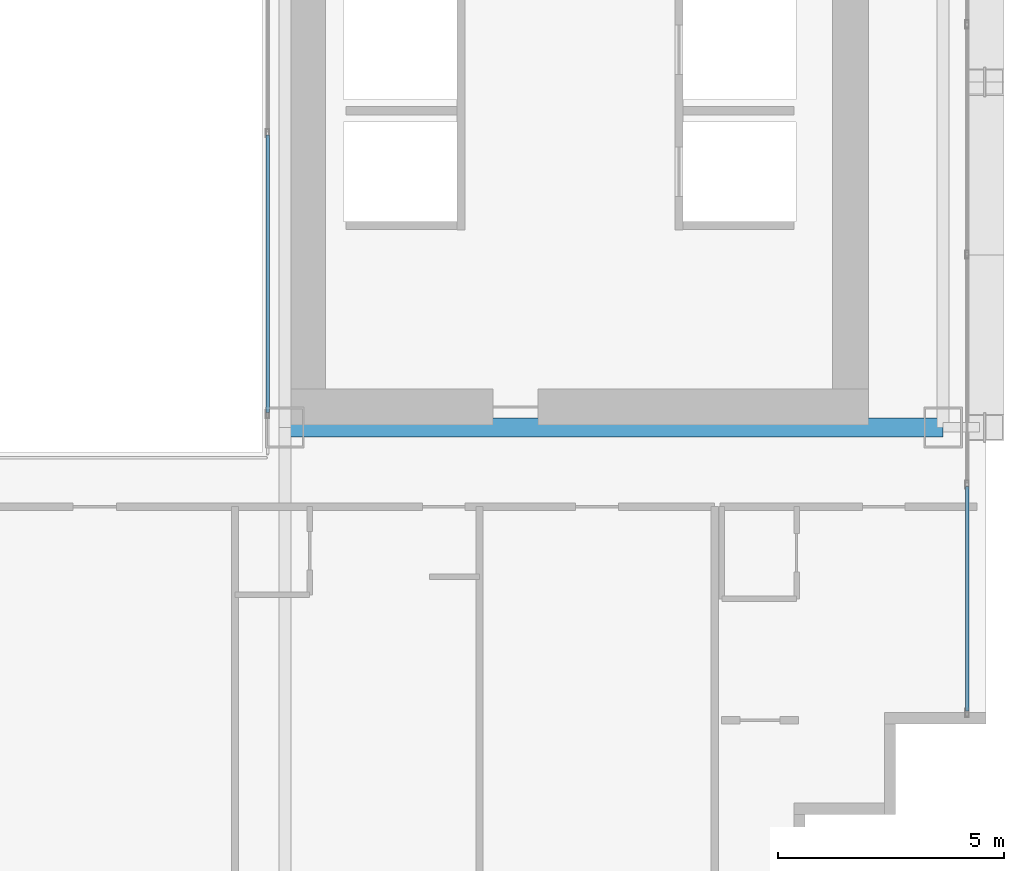
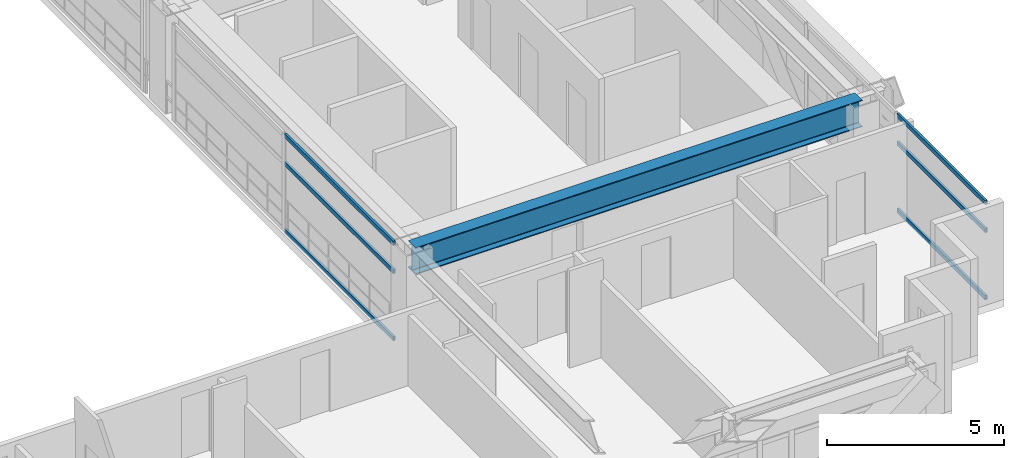
# One storey, part 13 of 41: 6 members, 1 beam, 2 elements without a shape of their own.
"""IFC4 building model written with IfcOpenShell, lengths in metres."""

from ifc_helpers import new_model, si_unit, direction, frame, origin, origin_2d, place, context, subcontext, project, spatial, hollow_rectangle, i_section, extrude, source, transform, mapped, material, layer, layer_set, material_profile, profile_set, type_object, element, aggregate, save


model = new_model("IFC4")

# Units and contexts
model_context = context("Model", 3, precision=1e-05, world=origin(), true_north=direction((0.0, 1.0)))
body_context = subcontext(model_context, "Body", "Model", "MODEL_VIEW")
ifc_project = project(units=[si_unit("LENGTHUNIT", "METRE"), si_unit("AREAUNIT", "SQUARE_METRE"), si_unit("VOLUMEUNIT", "CUBIC_METRE"), si_unit("PLANEANGLEUNIT", "RADIAN"), si_unit("MASSUNIT", "GRAM", prefix="KILO")], contexts=[model_context])

# Site, building, storey
site_placement = place(None, origin())
site = spatial("IfcSite", under=ifc_project, at=site_placement, CompositionType="ELEMENT")
building_placement = place(site_placement, origin())
building = spatial("IfcBuilding", under=site, at=building_placement, Name="Ocotamira Hotel", CompositionType="ELEMENT")
storey_placement = place(building_placement, frame((0.0, 0.0, 52.800048828125)))
storey = spatial("IfcBuildingStorey", under=building, at=storey_placement, Name="L12", CompositionType="ELEMENT", Elevation=52.800048828125)

# Beam
ifc_material_1 = material(Name="Steel ASTM A992 Grade 50", Category="steel")
ifc_material_profile_1 = material_profile(ifc_material_1, i_section(OverallWidth=0.41796875, OverallDepth=0.927001953125, WebThickness=0.019287109375, FlangeThickness=0.031982421875, FilletRadius=0.02392578125, at=origin_2d()), Name="W36X231")
ifc_profile_set_1 = profile_set([ifc_material_profile_1], Name="Steel ASTM A992 Grade 50")
beam_type = type_object("IfcBeamType", Name="BM-GIRD-W36X231", PredefinedType="BEAM", material=ifc_profile_set_1)
shared_shape_1 = source(origin(), body_context, "Body", "SweptSolid", [
    extrude(i_section(OverallWidth=0.41796875, OverallDepth=0.927001953125, WebThickness=0.019287109375, FlangeThickness=0.031982421875, FilletRadius=0.02392578125, at=origin_2d()), origin(), (0.0, 0.0, 1.0), 14.550048828125),
])
beam_placement = place(storey_placement, frame((40.5, 14.550048828125, 2.886474609375), z_axis=(1.0, 0.0, 0.0), x_axis=(0.0, 1.0, 0.0)))
element("IfcBeam", 1, at=beam_placement, inside=storey, type_object=beam_type, Name="L12 Girder Y14.55 X40.5-55.05", PredefinedType="BEAM", context=body_context, shape_type="MappedRepresentation", body=[
    mapped(shared_shape_1, transform((0.0, 0.0, 0.0), scale=1.0)),
])

# Curtain wall, members
ifc_material_2 = material(Name="Anodised pale-metal aluminium and solar glass", Category="aluminium")
ifc_layer_1 = layer(ifc_material_2, 0.179931640625)
ifc_layer_set_1 = layer_set([ifc_layer_1], Name="Anodised pale-metal aluminium and solar glass")
curtain_wall_type_1 = type_object("IfcCurtainWallType", Name="CW-SYS2-Z1", PredefinedType="NOTDEFINED", material=ifc_layer_set_1)
curtain_wall_1_placement = place(storey_placement, origin())
curtain_wall_1 = element("IfcCurtainWall", 2, at=curtain_wall_1_placement, inside=storey, type_object=curtain_wall_type_1, Name="L12 Curtain Wall CW-2 CW-L12-E", PredefinedType="NOTDEFINED")
ifc_material_3 = material(Name="Anodised pale-metal aluminium 6063-T6", Category="aluminium")
ifc_material_profile_2 = material_profile(ifc_material_3, hollow_rectangle(XDim=0.074951171875, YDim=0.14990234375, WallThickness=0.006103515625, at=origin_2d()), Name="HSS150X75X6")
ifc_profile_set_2 = profile_set([ifc_material_profile_2], Name="Anodised pale-metal aluminium 6063-T6")
member_type = type_object("IfcMemberType", Name="CWT-150X75", PredefinedType="USERDEFINED", material=ifc_profile_set_2)
shared_shape_2 = source(origin(), body_context, "Body", "SweptSolid", [
    extrude(hollow_rectangle(XDim=0.074951171875, YDim=0.14990234375, WallThickness=0.006103515625, at=origin_2d()), origin(), (0.0, 0.0, 1.0), 4.965576171875),
])
member_1_placement = place(storey_placement, frame((55.580078125, 8.280029296875, 0.037353515625), z_axis=(0.0, 1.0, 0.0), x_axis=(-1.0, 0.0, 0.0)))
member_1 = element("IfcMember", 3, at=member_1_placement, type_object=member_type, Name="CW-2 transom 1.1", ObjectType="TRANSOM", PredefinedType="USERDEFINED", context=body_context, shape_type="MappedRepresentation", body=[
    mapped(shared_shape_2, transform((0.0, 0.0, 0.0), scale=1.0)),
])
member_2_placement = place(storey_placement, frame((55.580078125, 8.280029296875, 2.349853515625), z_axis=(0.0, 1.0, 0.0), x_axis=(-1.0, 0.0, 0.0)))
member_2 = element("IfcMember", 4, at=member_2_placement, type_object=member_type, Name="CW-2 transom 1.2", ObjectType="TRANSOM", PredefinedType="USERDEFINED", context=body_context, shape_type="MappedRepresentation", body=[
    mapped(shared_shape_2, transform((0.0, 0.0, 0.0), scale=1.0)),
])
member_3_placement = place(storey_placement, frame((55.580078125, 8.280029296875, 3.3125), z_axis=(0.0, 1.0, 0.0), x_axis=(-1.0, 0.0, 0.0)))
member_3 = element("IfcMember", 5, at=member_3_placement, type_object=member_type, Name="CW-2 transom 1.3", ObjectType="TRANSOM", PredefinedType="USERDEFINED", context=body_context, shape_type="MappedRepresentation", body=[
    mapped(shared_shape_2, transform((0.0, 0.0, 0.0), scale=1.0)),
])
aggregate(curtain_wall_1, [member_1, member_2, member_3])

ifc_layer_2 = layer(ifc_material_2, 0.159912109375)
ifc_layer_set_2 = layer_set([ifc_layer_2], Name="Anodised pale-metal aluminium and solar glass")
curtain_wall_type_2 = type_object("IfcCurtainWallType", Name="CW-SYS6-ATR", PredefinedType="NOTDEFINED", material=ifc_layer_set_2)
curtain_wall_2_placement = place(storey_placement, origin())
curtain_wall_2 = element("IfcCurtainWall", 6, at=curtain_wall_2_placement, inside=storey, type_object=curtain_wall_type_2, Name="L12 Curtain Wall CW-6 CW-L12-ATRE1", PredefinedType="NOTDEFINED")
shared_shape_3 = source(origin(), body_context, "Body", "SweptSolid", [
    extrude(hollow_rectangle(XDim=0.074951171875, YDim=0.14990234375, WallThickness=0.006103515625, at=origin_2d()), origin(), (0.0, 0.0, 1.0), 6.130126953125),
])
member_4_placement = place(storey_placement, frame((40.1201171875, 14.8798828125, 0.037353515625), z_axis=(0.0, 1.0, 0.0), x_axis=(-1.0, 0.0, 0.0)))
member_4 = element("IfcMember", 7, at=member_4_placement, type_object=member_type, Name="CW-6 transom 1.1", ObjectType="TRANSOM", PredefinedType="USERDEFINED", context=body_context, shape_type="MappedRepresentation", body=[
    mapped(shared_shape_3, transform((0.0, 0.0, 0.0), scale=1.0)),
])
member_5_placement = place(storey_placement, frame((40.1201171875, 14.8798828125, 2.349853515625), z_axis=(0.0, 1.0, 0.0), x_axis=(-1.0, 0.0, 0.0)))
member_5 = element("IfcMember", 8, at=member_5_placement, type_object=member_type, Name="CW-6 transom 1.2", ObjectType="TRANSOM", PredefinedType="USERDEFINED", context=body_context, shape_type="MappedRepresentation", body=[
    mapped(shared_shape_3, transform((0.0, 0.0, 0.0), scale=1.0)),
])
member_6_placement = place(storey_placement, frame((40.1201171875, 14.8798828125, 3.3125), z_axis=(0.0, 1.0, 0.0), x_axis=(-1.0, 0.0, 0.0)))
member_6 = element("IfcMember", 9, at=member_6_placement, type_object=member_type, Name="CW-6 transom 1.3", ObjectType="TRANSOM", PredefinedType="USERDEFINED", context=body_context, shape_type="MappedRepresentation", body=[
    mapped(shared_shape_3, transform((0.0, 0.0, 0.0), scale=1.0)),
])
aggregate(curtain_wall_2, [member_4, member_5, member_6])

save(model, "model.ifc")
